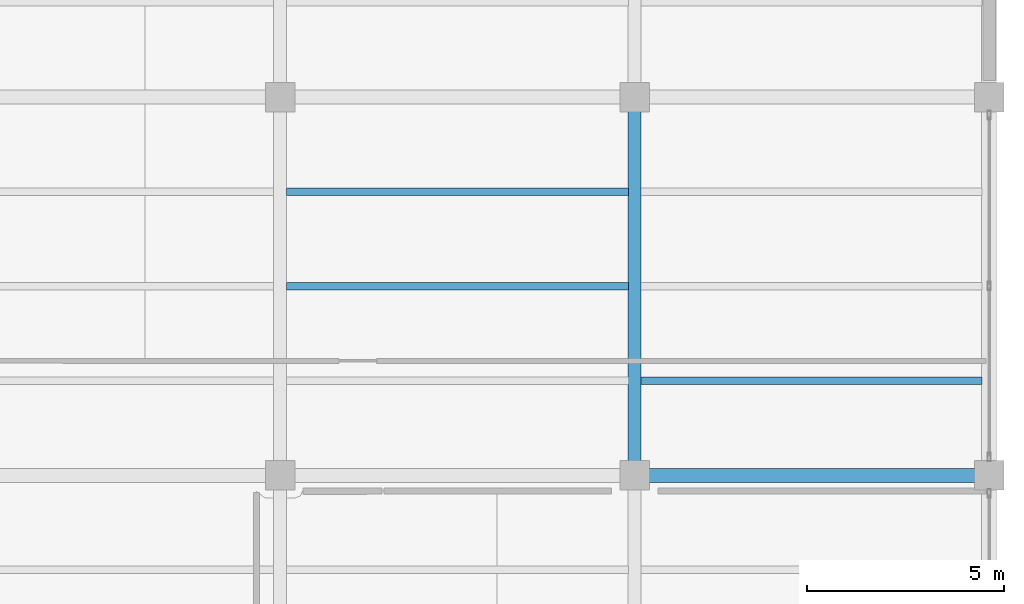
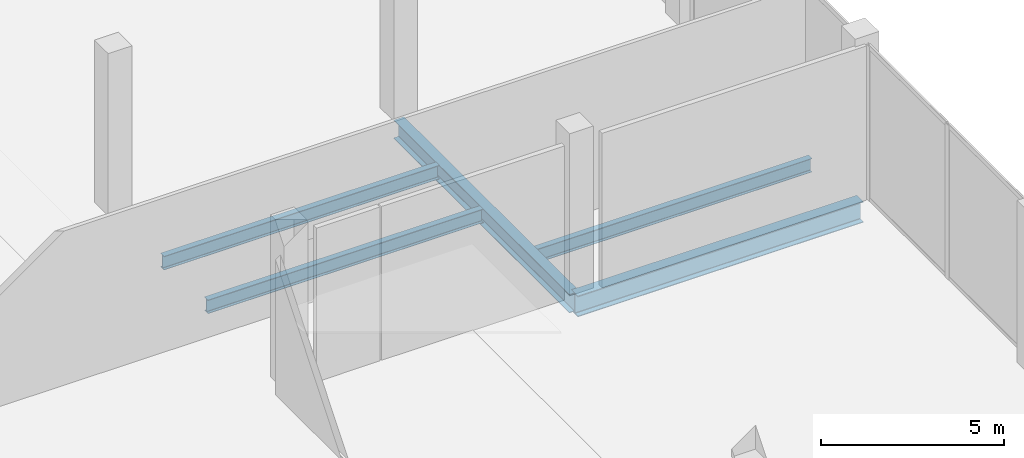
# One storey, part 21 of 47: 5 beams.
"""IFC4 building model written with IfcOpenShell, lengths in metres."""

from ifc_helpers import new_model, si_unit, direction, frame, origin, origin_2d, place, context, subcontext, project, spatial, i_section, extrude, material, material_profile, profile_set, type_object, element, save


model = new_model("IFC4")

# Units and contexts
model_context = context("Model", 3, precision=1e-05, world=origin(), true_north=direction((0.0, 1.0)))
body_context = subcontext(model_context, "Body", "Model", "MODEL_VIEW")
ifc_project = project(units=[si_unit("LENGTHUNIT", "METRE"), si_unit("AREAUNIT", "SQUARE_METRE"), si_unit("VOLUMEUNIT", "CUBIC_METRE"), si_unit("PLANEANGLEUNIT", "RADIAN"), si_unit("MASSUNIT", "GRAM", prefix="KILO")], contexts=[model_context])

# Site, building, storey
site_placement = place(None, origin())
site = spatial("IfcSite", under=ifc_project, at=site_placement, CompositionType="ELEMENT")
building_placement = place(site_placement, origin())
building = spatial("IfcBuilding", under=site, at=building_placement, Name="Qorvath Tower", CompositionType="ELEMENT")
storey_placement = place(building_placement, frame((0.0, 0.0, 6.60009765625)))
storey = spatial("IfcBuildingStorey", under=building, at=storey_placement, Name="L01", CompositionType="ELEMENT", Elevation=6.60009765625)

# Beams
ifc_material_1 = material(Name="Steel ASTM A992 Grade 50", Category="steel")
ifc_material_profile_1 = material_profile(ifc_material_1, i_section(OverallWidth=0.35595703125, OverallDepth=0.696044921875, WebThickness=0.015380859375, FlangeThickness=0.02490234375, FilletRadius=0.01806640625, at=origin_2d()), Name="W27x146")
ifc_profile_set_1 = profile_set([ifc_material_profile_1], Name="Steel ASTM A992 Grade 50")
beam_type_1 = type_object("IfcBeamType", Name="BM-FG4", PredefinedType="BEAM", material=ifc_profile_set_1)
beam_1_placement = place(storey_placement, frame((68.39990234375, 9.60009765625, -0.60791015625), z_axis=(1.0, 0.0, 0.0), x_axis=(0.0, 1.0, 0.0)))
element("IfcBeam", 1, at=beam_1_placement, inside=storey, type_object=beam_type_1, Name="Library E-W Girder L01-6-5", PredefinedType="BEAM", context=body_context, shape_type="SweptSolid", body=[
    extrude(i_section(OverallWidth=0.35595703125, OverallDepth=0.696044921875, WebThickness=0.015380859375, FlangeThickness=0.02490234375, FilletRadius=0.01806640625, at=origin_2d()), origin(), (0.0, 0.0, 1.0), 9.0),
])
ifc_material_2 = material(Name="Steel ASTM A992 Grade 50", Category="steel")
ifc_material_profile_2 = material_profile(ifc_material_2, i_section(OverallWidth=0.324951171875, OverallDepth=0.615966796875, WebThickness=0.013916015625, FlangeThickness=0.021484375, FilletRadius=0.01611328125, at=origin_2d()), Name="W24x117")
ifc_profile_set_2 = profile_set([ifc_material_profile_2], Name="Steel ASTM A992 Grade 50")
beam_type_2 = type_object("IfcBeamType", Name="BM-FG5", PredefinedType="BEAM", material=ifc_profile_set_2)
beam_2_placement = place(storey_placement, frame((68.39990234375, 9.60009765625, -0.568115234375), z_axis=(0.0, 1.0, 0.0), x_axis=(-1.0, 0.0, 0.0)))
element("IfcBeam", 2, at=beam_2_placement, inside=storey, type_object=beam_type_2, Name="Library N-S Girder L01-5-6", PredefinedType="BEAM", context=body_context, shape_type="SweptSolid", body=[
    extrude(i_section(OverallWidth=0.324951171875, OverallDepth=0.615966796875, WebThickness=0.013916015625, FlangeThickness=0.021484375, FilletRadius=0.01611328125, at=origin_2d()), origin(), (0.0, 0.0, 1.0), 9.599853515625),
])
ifc_material_3 = material(Name="Steel ASTM A992 Grade 50", Category="steel")
ifc_material_profile_3 = material_profile(ifc_material_3, i_section(OverallWidth=0.18994140625, OverallDepth=0.45703125, WebThickness=0.009033203125, FlangeThickness=0.014404296875, FilletRadius=0.011962890625, at=origin_2d()), Name="W18x50")
ifc_profile_set_3 = profile_set([ifc_material_profile_3], Name="Steel ASTM A992 Grade 50")
beam_type_3 = type_object("IfcBeamType", Name="BM-FJ2", PredefinedType="JOIST", material=ifc_profile_set_3)
beam_3_placement = place(storey_placement, frame((68.560546875, 12.0, -0.488525390625), z_axis=(1.0, 0.0, 0.0), x_axis=(0.0, 1.0, 0.0)))
element("IfcBeam", 3, at=beam_3_placement, inside=storey, type_object=beam_type_3, Name="Library Stack Joist L01-6.1-5", PredefinedType="JOIST", context=body_context, shape_type="SweptSolid", body=[
    extrude(i_section(OverallWidth=0.18994140625, OverallDepth=0.45703125, WebThickness=0.009033203125, FlangeThickness=0.014404296875, FilletRadius=0.011962890625, at=origin_2d()), origin(), (0.0, 0.0, 1.0), 8.65087890625),
])
for number, where, z_axis, x_axis, name in (
    (4, (59.560546875, 14.39990234375, -0.488525390625), (1.0, 0.0, 0.0), (0.0, 1.0, 0.0), "Library Stack Joist L01-6.2-4"),
    (5, (59.560546875, 16.800048828125, -0.488525390625), (1.0, 0.0, 0.0), (0.0, 1.0, 0.0), "Library Stack Joist L01-6.3-4"),
):
    element("IfcBeam", number, at=place(storey_placement, frame(where, z_axis=z_axis, x_axis=x_axis)), inside=storey, type_object=beam_type_3, Name=name, PredefinedType="JOIST", context=body_context, shape_type="SweptSolid", body=[
        extrude(i_section(OverallWidth=0.18994140625, OverallDepth=0.45703125, WebThickness=0.009033203125, FlangeThickness=0.014404296875, FilletRadius=0.011962890625, at=origin_2d()), origin(), (0.0, 0.0, 1.0), 8.678955078125),
    ])

save(model, "model.ifc")
